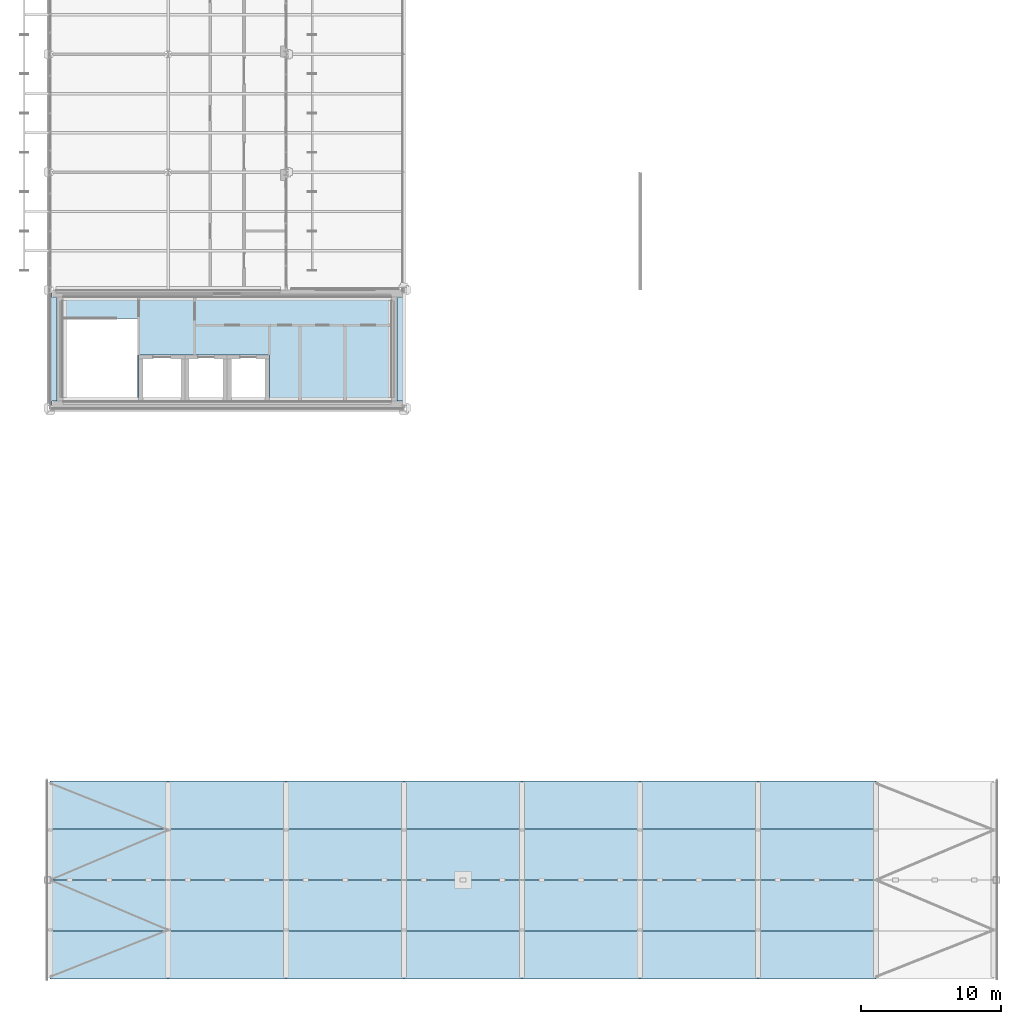
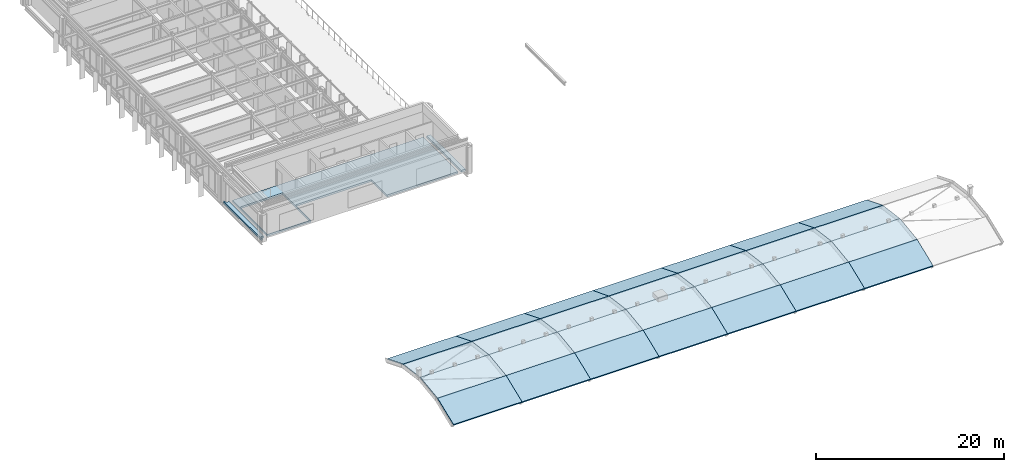
# One storey, part 23 of 31: 31 slabs.
"""IFC4 building model written with IfcOpenShell, lengths in metres."""

from ifc_helpers import new_model, si_unit, direction, frame, origin, place, context, subcontext, project, spatial, polyline, outline, extrude, material, layer, layer_set, type_object, element, save


model = new_model("IFC4")

# Units and contexts
model_context = context("Model", 3, precision=1e-05, world=origin(), true_north=direction((0.0, 1.0)))
body_context = subcontext(model_context, "Body", "Model", "MODEL_VIEW")
ifc_project = project(units=[si_unit("LENGTHUNIT", "METRE"), si_unit("AREAUNIT", "SQUARE_METRE"), si_unit("VOLUMEUNIT", "CUBIC_METRE"), si_unit("PLANEANGLEUNIT", "RADIAN"), si_unit("MASSUNIT", "GRAM", prefix="KILO")], contexts=[model_context])

# Site, building, storey
site_placement = place(None, origin())
site = spatial("IfcSite", under=ifc_project, at=site_placement, CompositionType="ELEMENT")
building_placement = place(site_placement, origin())
building = spatial("IfcBuilding", under=site, at=building_placement, Name="Catenary Quay Ferry Terminal", CompositionType="ELEMENT")
storey_placement = place(building_placement, frame((0.0, 0.0, 20.60009765625)))
storey = spatial("IfcBuildingStorey", under=building, at=storey_placement, Name="L04", CompositionType="ELEMENT", Elevation=20.60009765625)

# Slabs
ifc_material_1 = material(Name="Concrete C35/45", Category="concrete")
ifc_layer_1 = layer(ifc_material_1, 0.25)
ifc_layer_set_1 = layer_set([ifc_layer_1], Name="Composite floor slab 250")
slab_type_1 = type_object("IfcSlabType", Name="Composite floor slab 250", PredefinedType="FLOOR", material=ifc_layer_set_1)
slab_1_placement = place(storey_placement, frame((0.0, 0.0, -0.25)))
element("IfcSlab", 1, at=slab_1_placement, inside=storey, type_object=slab_type_1, Name="Wing floor slab L04", PredefinedType="FLOOR", context=body_context, shape_type="SweptSolid", body=[
    extrude(outline(polyline([(25.199951171875, 167.7900390625), (25.340087890625, 167.7900390625), (25.340087890625, 167.489990234375), (25.68994140625, 167.489990234375), (25.68994140625, 160.110107421875), (25.340087890625, 160.110107421875), (25.340087890625, 159.81005859375), (25.199951171875, 159.81005859375), (25.199951171875, 167.7900390625)])), origin(), (0.0, 0.0, 1.0), 0.25),
])
slab_2_placement = place(storey_placement, frame((0.0, 0.0, -0.25)))
element("IfcSlab", 2, at=slab_2_placement, inside=storey, type_object=slab_type_1, Name="Wing floor slab L04", PredefinedType="FLOOR", context=body_context, shape_type="SweptSolid", body=[
    extrude(outline(polyline([(50.39990234375, 160.110107421875), (49.909912109375, 160.110107421875), (49.909912109375, 167.489990234375), (50.39990234375, 167.489990234375), (50.39990234375, 160.110107421875)])), origin(), (0.0, 0.0, 1.0), 0.25),
])
slab_3_placement = place(storey_placement, frame((0.0, 0.0, -0.25)))
element("IfcSlab", 3, at=slab_3_placement, inside=storey, type_object=slab_type_1, Name="Wing floor slab L04", PredefinedType="FLOOR", context=body_context, shape_type="SweptSolid", body=[
    extrude(outline(polyline([(26.110107421875, 167.489990234375), (49.489990234375, 167.489990234375), (49.489990234375, 160.110107421875), (40.800048828125, 160.110107421875), (40.800048828125, 163.39990234375), (37.800048828125, 163.39990234375), (34.800048828125, 163.39990234375), (31.5, 163.39990234375), (31.5, 160.110107421875), (26.110107421875, 160.110107421875), (26.110107421875, 167.489990234375)]), holes=[polyline([(31.39990234375, 160.199951171875), (31.39990234375, 166.0), (26.199951171875, 166.0), (26.199951171875, 160.199951171875), (31.39990234375, 160.199951171875)])]), origin(), (0.0, 0.0, 1.0), 0.25),
])
ifc_material_2 = material(Name="Concrete C35/45", Category="concrete")
ifc_layer_2 = layer(ifc_material_2, 0.1201171875)
ifc_layer_set_2 = layer_set([ifc_layer_2], Name="Thin concrete shell roof slab C35/45 120")
slab_type_2 = type_object("IfcSlabType", Name="Thin concrete shell roof slab C35/45 120", PredefinedType="ROOF", material=ifc_layer_set_2)
slab_4_placement = place(storey_placement, frame((25.199951171875, 118.958251953125, 0.67431640625), z_axis=(0.0, -0.37245899137, 0.928048651606), x_axis=(1.0, 0.0, 0.0)))
element("IfcSlab", 4, at=slab_4_placement, inside=storey, type_object=slab_type_2, Name="Roof shell panel VD-01-05", PredefinedType="ROOF", context=body_context, shape_type="SweptSolid", body=[
    extrude(outline(polyline([(0.0, 0.0), (8.400146484375, 0.0), (8.400146484375, 3.6634958068924663), (0.0, 3.6634958068924663), (0.0, 0.0)])), origin(), (0.0, -0.37245899137, -0.928048651606), 0.12939453125),
])
slab_5_placement = place(storey_placement, frame((25.199951171875, 122.358154296875, 2.038818359375), z_axis=(0.0, -0.132625051682, 0.991166280533), x_axis=(1.0, 0.0, 0.0)))
element("IfcSlab", 5, at=slab_5_placement, inside=storey, type_object=slab_type_2, Name="Roof shell panel VD-01-06", PredefinedType="ROOF", context=body_context, shape_type="SweptSolid", body=[
    extrude(outline(polyline([(0.0, 0.0), (8.400146484375, 0.0), (8.400146484375, 3.674303469207395), (0.0, 3.674303469207395), (0.0, 0.0)])), origin(), (0.0, -0.132625051682, -0.991166280533), 0.12109375),
])
slab_6_placement = place(storey_placement, frame((25.199951171875, 126.0, 2.526123046875), z_axis=(0.0, 0.132625051682, 0.991166280533), x_axis=(1.0, 0.0, 0.0)))
element("IfcSlab", 6, at=slab_6_placement, inside=storey, type_object=slab_type_2, Name="Roof shell panel VD-01-07", PredefinedType="ROOF", context=body_context, shape_type="SweptSolid", body=[
    extrude(outline(polyline([(0.0, 0.0), (8.400146484375, 0.0), (8.400146484375, 3.674303469207395), (0.0, 3.674303469207395), (0.0, 0.0)])), origin(), (0.0, 0.132625051682, -0.991166280533), 0.12109375),
])
slab_7_placement = place(storey_placement, frame((25.199951171875, 129.641845703125, 2.038818359375), z_axis=(0.0, 0.37245899137, 0.928048651606), x_axis=(1.0, 0.0, 0.0)))
element("IfcSlab", 7, at=slab_7_placement, inside=storey, type_object=slab_type_2, Name="Roof shell panel VD-01-08", PredefinedType="ROOF", context=body_context, shape_type="SweptSolid", body=[
    extrude(outline(polyline([(0.0, 0.0), (8.400146484375, 0.0), (8.400146484375, 3.6634958068924663), (0.0, 3.6634958068924663), (0.0, 0.0)])), origin(), (0.0, 0.37245899137, -0.928048651606), 0.12939453125),
])
slab_8_placement = place(storey_placement, frame((33.60009765625, 118.958251953125, 0.67431640625), z_axis=(0.0, -0.37245899137, 0.928048651606), x_axis=(1.0, 0.0, 0.0)))
element("IfcSlab", 8, at=slab_8_placement, inside=storey, type_object=slab_type_2, Name="Roof shell panel VD-02-05", PredefinedType="ROOF", context=body_context, shape_type="SweptSolid", body=[
    extrude(outline(polyline([(0.0, 0.0), (8.39990234375, 0.0), (8.39990234375, 3.6634958068924663), (0.0, 3.6634958068924663), (0.0, 0.0)])), origin(), (0.0, -0.37245899137, -0.928048651606), 0.12939453125),
])
slab_9_placement = place(storey_placement, frame((33.60009765625, 122.358154296875, 2.038818359375), z_axis=(0.0, -0.132625051682, 0.991166280533), x_axis=(1.0, 0.0, 0.0)))
element("IfcSlab", 9, at=slab_9_placement, inside=storey, type_object=slab_type_2, Name="Roof shell panel VD-02-06", PredefinedType="ROOF", context=body_context, shape_type="SweptSolid", body=[
    extrude(outline(polyline([(0.0, 0.0), (8.39990234375, 0.0), (8.39990234375, 3.674303469207395), (0.0, 3.674303469207395), (0.0, 0.0)])), origin(), (0.0, -0.132625051682, -0.991166280533), 0.12109375),
])
slab_10_placement = place(storey_placement, frame((33.60009765625, 126.0, 2.526123046875), z_axis=(0.0, 0.132625051682, 0.991166280533), x_axis=(1.0, 0.0, 0.0)))
element("IfcSlab", 10, at=slab_10_placement, inside=storey, type_object=slab_type_2, Name="Roof shell panel VD-02-07", PredefinedType="ROOF", context=body_context, shape_type="SweptSolid", body=[
    extrude(outline(polyline([(0.0, 0.0), (8.39990234375, 0.0), (8.39990234375, 3.674303469207395), (0.0, 3.674303469207395), (0.0, 0.0)])), origin(), (0.0, 0.132625051682, -0.991166280533), 0.12109375),
])
slab_11_placement = place(storey_placement, frame((33.60009765625, 129.641845703125, 2.038818359375), z_axis=(0.0, 0.37245899137, 0.928048651606), x_axis=(1.0, 0.0, 0.0)))
element("IfcSlab", 11, at=slab_11_placement, inside=storey, type_object=slab_type_2, Name="Roof shell panel VD-02-08", PredefinedType="ROOF", context=body_context, shape_type="SweptSolid", body=[
    extrude(outline(polyline([(0.0, 0.0), (8.39990234375, 0.0), (8.39990234375, 3.6634958068924663), (0.0, 3.6634958068924663), (0.0, 0.0)])), origin(), (0.0, 0.37245899137, -0.928048651606), 0.12939453125),
])
slab_12_placement = place(storey_placement, frame((42.0, 118.958251953125, 0.67431640625), z_axis=(0.0, -0.37245899137, 0.928048651606), x_axis=(1.0, 0.0, 0.0)))
element("IfcSlab", 12, at=slab_12_placement, inside=storey, type_object=slab_type_2, Name="Roof shell panel VD-03-05", PredefinedType="ROOF", context=body_context, shape_type="SweptSolid", body=[
    extrude(outline(polyline([(0.0, 0.0), (8.39990234375, 0.0), (8.39990234375, 3.6634958068924663), (0.0, 3.6634958068924663), (0.0, 0.0)])), origin(), (0.0, -0.37245899137, -0.928048651606), 0.12939453125),
])
slab_13_placement = place(storey_placement, frame((42.0, 122.358154296875, 2.038818359375), z_axis=(0.0, -0.132625051682, 0.991166280533), x_axis=(1.0, 0.0, 0.0)))
element("IfcSlab", 13, at=slab_13_placement, inside=storey, type_object=slab_type_2, Name="Roof shell panel VD-03-06", PredefinedType="ROOF", context=body_context, shape_type="SweptSolid", body=[
    extrude(outline(polyline([(0.0, 0.0), (8.39990234375, 0.0), (8.39990234375, 3.674303469207395), (0.0, 3.674303469207395), (0.0, 0.0)])), origin(), (0.0, -0.132625051682, -0.991166280533), 0.12109375),
])
slab_14_placement = place(storey_placement, frame((42.0, 126.0, 2.526123046875), z_axis=(0.0, 0.132625051682, 0.991166280533), x_axis=(1.0, 0.0, 0.0)))
element("IfcSlab", 14, at=slab_14_placement, inside=storey, type_object=slab_type_2, Name="Roof shell panel VD-03-07", PredefinedType="ROOF", context=body_context, shape_type="SweptSolid", body=[
    extrude(outline(polyline([(0.0, 0.0), (8.39990234375, 0.0), (8.39990234375, 3.674303469207395), (0.0, 3.674303469207395), (0.0, 0.0)])), origin(), (0.0, 0.132625051682, -0.991166280533), 0.12109375),
])
slab_15_placement = place(storey_placement, frame((42.0, 129.641845703125, 2.038818359375), z_axis=(0.0, 0.37245899137, 0.928048651606), x_axis=(1.0, 0.0, 0.0)))
element("IfcSlab", 15, at=slab_15_placement, inside=storey, type_object=slab_type_2, Name="Roof shell panel VD-03-08", PredefinedType="ROOF", context=body_context, shape_type="SweptSolid", body=[
    extrude(outline(polyline([(0.0, 0.0), (8.39990234375, 0.0), (8.39990234375, 3.6634958068924663), (0.0, 3.6634958068924663), (0.0, 0.0)])), origin(), (0.0, 0.37245899137, -0.928048651606), 0.12939453125),
])
slab_16_placement = place(storey_placement, frame((50.39990234375, 118.958251953125, 0.67431640625), z_axis=(0.0, -0.37245899137, 0.928048651606), x_axis=(1.0, 0.0, 0.0)))
element("IfcSlab", 16, at=slab_16_placement, inside=storey, type_object=slab_type_2, Name="Roof shell panel VD-04-05", PredefinedType="ROOF", context=body_context, shape_type="SweptSolid", body=[
    extrude(outline(polyline([(0.0, 0.0), (8.400146484375, 0.0), (8.400146484375, 3.6634958068924663), (0.0, 3.6634958068924663), (0.0, 0.0)])), origin(), (0.0, -0.37245899137, -0.928048651606), 0.12939453125),
])
slab_17_placement = place(storey_placement, frame((50.39990234375, 122.358154296875, 2.038818359375), z_axis=(0.0, -0.132625051682, 0.991166280533), x_axis=(1.0, 0.0, 0.0)))
element("IfcSlab", 17, at=slab_17_placement, inside=storey, type_object=slab_type_2, Name="Roof shell panel VD-04-06", PredefinedType="ROOF", context=body_context, shape_type="SweptSolid", body=[
    extrude(outline(polyline([(0.0, 0.0), (8.400146484375, 0.0), (8.400146484375, 3.674303469207395), (0.0, 3.674303469207395), (0.0, 0.0)])), origin(), (0.0, -0.132625051682, -0.991166280533), 0.12109375),
])
slab_18_placement = place(storey_placement, frame((50.39990234375, 126.0, 2.526123046875), z_axis=(0.0, 0.132625051682, 0.991166280533), x_axis=(1.0, 0.0, 0.0)))
element("IfcSlab", 18, at=slab_18_placement, inside=storey, type_object=slab_type_2, Name="Roof shell panel VD-04-07", PredefinedType="ROOF", context=body_context, shape_type="SweptSolid", body=[
    extrude(outline(polyline([(0.0, 0.0), (8.400146484375, 0.0), (8.400146484375, 3.674303469207395), (0.0, 3.674303469207395), (0.0, 0.0)])), origin(), (0.0, 0.132625051682, -0.991166280533), 0.12109375),
])
slab_19_placement = place(storey_placement, frame((50.39990234375, 129.641845703125, 2.038818359375), z_axis=(0.0, 0.37245899137, 0.928048651606), x_axis=(1.0, 0.0, 0.0)))
element("IfcSlab", 19, at=slab_19_placement, inside=storey, type_object=slab_type_2, Name="Roof shell panel VD-04-08", PredefinedType="ROOF", context=body_context, shape_type="SweptSolid", body=[
    extrude(outline(polyline([(0.0, 0.0), (8.400146484375, 0.0), (8.400146484375, 3.6634958068924663), (0.0, 3.6634958068924663), (0.0, 0.0)])), origin(), (0.0, 0.37245899137, -0.928048651606), 0.12939453125),
])
slab_20_placement = place(storey_placement, frame((58.800048828125, 118.958251953125, 0.67431640625), z_axis=(0.0, -0.37245899137, 0.928048651606), x_axis=(1.0, 0.0, 0.0)))
element("IfcSlab", 20, at=slab_20_placement, inside=storey, type_object=slab_type_2, Name="Roof shell panel VD-05-05", PredefinedType="ROOF", context=body_context, shape_type="SweptSolid", body=[
    extrude(outline(polyline([(0.0, 0.0), (8.39990234375, 0.0), (8.39990234375, 3.6634958068924663), (0.0, 3.6634958068924663), (0.0, 0.0)])), origin(), (0.0, -0.37245899137, -0.928048651606), 0.12939453125),
])
slab_21_placement = place(storey_placement, frame((58.800048828125, 122.358154296875, 2.038818359375), z_axis=(0.0, -0.132625051682, 0.991166280533), x_axis=(1.0, 0.0, 0.0)))
element("IfcSlab", 21, at=slab_21_placement, inside=storey, type_object=slab_type_2, Name="Roof shell panel VD-05-06", PredefinedType="ROOF", context=body_context, shape_type="SweptSolid", body=[
    extrude(outline(polyline([(0.0, 0.0), (8.39990234375, 0.0), (8.39990234375, 3.674303469207395), (0.0, 3.674303469207395), (0.0, 0.0)])), origin(), (0.0, -0.132625051682, -0.991166280533), 0.12109375),
])
slab_22_placement = place(storey_placement, frame((58.800048828125, 126.0, 2.526123046875), z_axis=(0.0, 0.132625051682, 0.991166280533), x_axis=(1.0, 0.0, 0.0)))
element("IfcSlab", 22, at=slab_22_placement, inside=storey, type_object=slab_type_2, Name="Roof shell panel VD-05-07", PredefinedType="ROOF", context=body_context, shape_type="SweptSolid", body=[
    extrude(outline(polyline([(0.0, 0.0), (8.39990234375, 0.0), (8.39990234375, 3.674303469207395), (0.0, 3.674303469207395), (0.0, 0.0)])), origin(), (0.0, 0.132625051682, -0.991166280533), 0.12109375),
])
slab_23_placement = place(storey_placement, frame((58.800048828125, 129.641845703125, 2.038818359375), z_axis=(0.0, 0.37245899137, 0.928048651606), x_axis=(1.0, 0.0, 0.0)))
element("IfcSlab", 23, at=slab_23_placement, inside=storey, type_object=slab_type_2, Name="Roof shell panel VD-05-08", PredefinedType="ROOF", context=body_context, shape_type="SweptSolid", body=[
    extrude(outline(polyline([(0.0, 0.0), (8.39990234375, 0.0), (8.39990234375, 3.6634958068924663), (0.0, 3.6634958068924663), (0.0, 0.0)])), origin(), (0.0, 0.37245899137, -0.928048651606), 0.12939453125),
])
slab_24_placement = place(storey_placement, frame((67.199951171875, 118.958251953125, 0.67431640625), z_axis=(0.0, -0.37245899137, 0.928048651606), x_axis=(1.0, 0.0, 0.0)))
element("IfcSlab", 24, at=slab_24_placement, inside=storey, type_object=slab_type_2, Name="Roof shell panel VD-06-05", PredefinedType="ROOF", context=body_context, shape_type="SweptSolid", body=[
    extrude(outline(polyline([(0.0, 0.0), (8.400146484375, 0.0), (8.400146484375, 3.6634958068924663), (0.0, 3.6634958068924663), (0.0, 0.0)])), origin(), (0.0, -0.37245899137, -0.928048651606), 0.12939453125),
])
slab_25_placement = place(storey_placement, frame((67.199951171875, 122.358154296875, 2.038818359375), z_axis=(0.0, -0.132625051682, 0.991166280533), x_axis=(1.0, 0.0, 0.0)))
element("IfcSlab", 25, at=slab_25_placement, inside=storey, type_object=slab_type_2, Name="Roof shell panel VD-06-06", PredefinedType="ROOF", context=body_context, shape_type="SweptSolid", body=[
    extrude(outline(polyline([(0.0, 0.0), (8.400146484375, 0.0), (8.400146484375, 3.674303469207395), (0.0, 3.674303469207395), (0.0, 0.0)])), origin(), (0.0, -0.132625051682, -0.991166280533), 0.12109375),
])
slab_26_placement = place(storey_placement, frame((67.199951171875, 126.0, 2.526123046875), z_axis=(0.0, 0.132625051682, 0.991166280533), x_axis=(1.0, 0.0, 0.0)))
element("IfcSlab", 26, at=slab_26_placement, inside=storey, type_object=slab_type_2, Name="Roof shell panel VD-06-07", PredefinedType="ROOF", context=body_context, shape_type="SweptSolid", body=[
    extrude(outline(polyline([(0.0, 0.0), (8.400146484375, 0.0), (8.400146484375, 3.674303469207395), (0.0, 3.674303469207395), (0.0, 0.0)])), origin(), (0.0, 0.132625051682, -0.991166280533), 0.12109375),
])
slab_27_placement = place(storey_placement, frame((67.199951171875, 129.641845703125, 2.038818359375), z_axis=(0.0, 0.37245899137, 0.928048651606), x_axis=(1.0, 0.0, 0.0)))
element("IfcSlab", 27, at=slab_27_placement, inside=storey, type_object=slab_type_2, Name="Roof shell panel VD-06-08", PredefinedType="ROOF", context=body_context, shape_type="SweptSolid", body=[
    extrude(outline(polyline([(0.0, 0.0), (8.400146484375, 0.0), (8.400146484375, 3.6634958068924663), (0.0, 3.6634958068924663), (0.0, 0.0)])), origin(), (0.0, 0.37245899137, -0.928048651606), 0.12939453125),
])
slab_28_placement = place(storey_placement, frame((75.60009765625, 118.958251953125, 0.67431640625), z_axis=(0.0, -0.37245899137, 0.928048651606), x_axis=(1.0, 0.0, 0.0)))
element("IfcSlab", 28, at=slab_28_placement, inside=storey, type_object=slab_type_2, Name="Roof shell panel VD-07-05", PredefinedType="ROOF", context=body_context, shape_type="SweptSolid", body=[
    extrude(outline(polyline([(0.0, 0.0), (8.39990234375, 0.0), (8.39990234375, 3.6634958068924663), (0.0, 3.6634958068924663), (0.0, 0.0)])), origin(), (0.0, -0.37245899137, -0.928048651606), 0.12939453125),
])
slab_29_placement = place(storey_placement, frame((75.60009765625, 122.358154296875, 2.038818359375), z_axis=(0.0, -0.132625051682, 0.991166280533), x_axis=(1.0, 0.0, 0.0)))
element("IfcSlab", 29, at=slab_29_placement, inside=storey, type_object=slab_type_2, Name="Roof shell panel VD-07-06", PredefinedType="ROOF", context=body_context, shape_type="SweptSolid", body=[
    extrude(outline(polyline([(0.0, 0.0), (8.39990234375, 0.0), (8.39990234375, 3.674303469207395), (0.0, 3.674303469207395), (0.0, 0.0)])), origin(), (0.0, -0.132625051682, -0.991166280533), 0.12109375),
])
slab_30_placement = place(storey_placement, frame((75.60009765625, 126.0, 2.526123046875), z_axis=(0.0, 0.132625051682, 0.991166280533), x_axis=(1.0, 0.0, 0.0)))
element("IfcSlab", 30, at=slab_30_placement, inside=storey, type_object=slab_type_2, Name="Roof shell panel VD-07-07", PredefinedType="ROOF", context=body_context, shape_type="SweptSolid", body=[
    extrude(outline(polyline([(0.0, 0.0), (8.39990234375, 0.0), (8.39990234375, 3.674303469207395), (0.0, 3.674303469207395), (0.0, 0.0)])), origin(), (0.0, 0.132625051682, -0.991166280533), 0.12109375),
])
slab_31_placement = place(storey_placement, frame((75.60009765625, 129.641845703125, 2.038818359375), z_axis=(0.0, 0.37245899137, 0.928048651606), x_axis=(1.0, 0.0, 0.0)))
element("IfcSlab", 31, at=slab_31_placement, inside=storey, type_object=slab_type_2, Name="Roof shell panel VD-07-08", PredefinedType="ROOF", context=body_context, shape_type="SweptSolid", body=[
    extrude(outline(polyline([(0.0, 0.0), (8.39990234375, 0.0), (8.39990234375, 3.6634958068924663), (0.0, 3.6634958068924663), (0.0, 0.0)])), origin(), (0.0, 0.37245899137, -0.928048651606), 0.12939453125),
])

save(model, "model.ifc")
